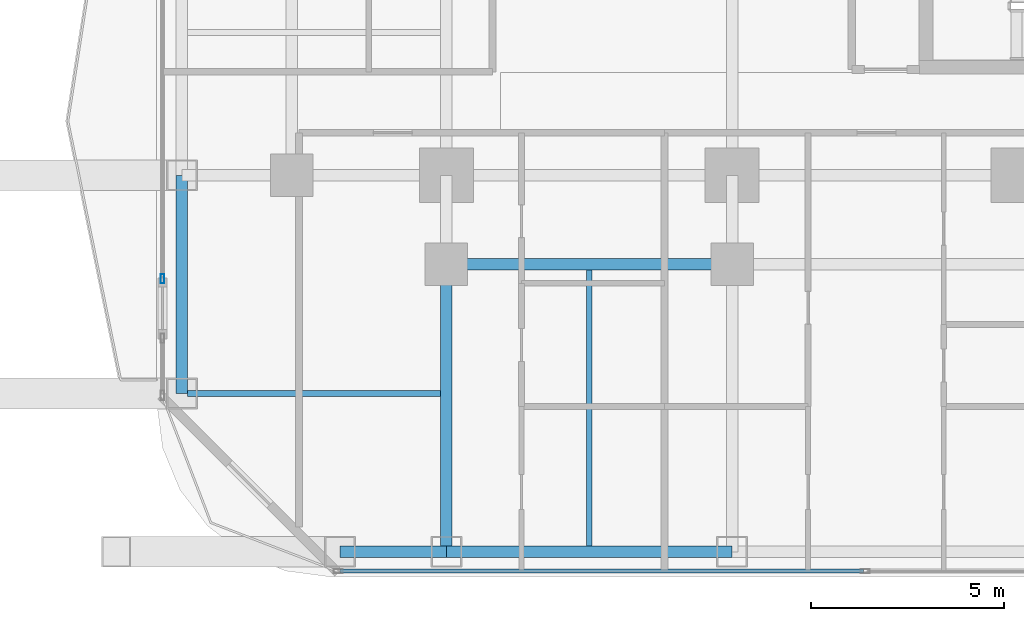
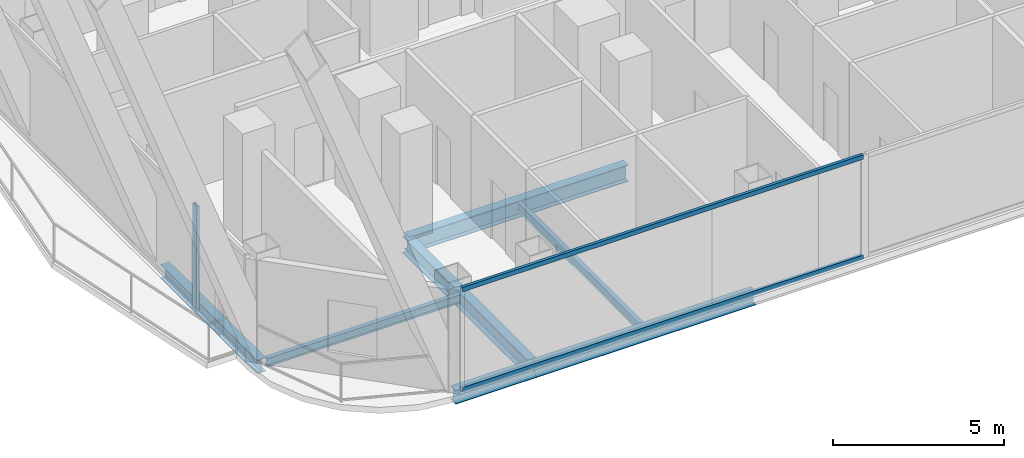
# One storey, part 3 of 33: 7 beams, 3 members, 2 elements without a shape of their own.
"""IFC4 building model written with IfcOpenShell, lengths in metres."""

from ifc_helpers import new_model, si_unit, direction, frame, origin, origin_2d, place, context, subcontext, project, spatial, hollow_rectangle, i_section, extrude, material, layer, layer_set, material_profile, profile_set, type_object, element, aggregate, save


model = new_model("IFC4")

# Units and contexts
model_context = context("Model", 3, precision=1e-05, world=origin(), true_north=direction((0.0, 1.0)))
body_context = subcontext(model_context, "Body", "Model", "MODEL_VIEW")
ifc_project = project(units=[si_unit("LENGTHUNIT", "METRE"), si_unit("AREAUNIT", "SQUARE_METRE"), si_unit("VOLUMEUNIT", "CUBIC_METRE"), si_unit("PLANEANGLEUNIT", "RADIAN"), si_unit("MASSUNIT", "GRAM", prefix="KILO")], contexts=[model_context])

# Site, building, storey
site_placement = place(None, origin())
site = spatial("IfcSite", under=ifc_project, at=site_placement, CompositionType="ELEMENT")
building_placement = place(site_placement, origin())
building = spatial("IfcBuilding", under=site, at=building_placement, Name="Khorvyn Point Tower", CompositionType="ELEMENT")
storey_placement = place(building_placement, frame((0.0, 0.0, 38.39990234375)))
storey = spatial("IfcBuildingStorey", under=building, at=storey_placement, Name="L10", CompositionType="ELEMENT", Elevation=38.39990234375)

# Curtain wall, member
ifc_material_1 = material(Name="Anodised aluminium 6063-T6 and laminated Low-E glass", Category="aluminium")
ifc_layer = layer(ifc_material_1, 0.18994140625)
ifc_layer_set = layer_set([ifc_layer], Name="Stick-Built Finned Residential Curtain Wall CW-SYS-02")
curtain_wall_type = type_object("IfcCurtainWallType", Name="Stick-Built Finned Residential Curtain Wall CW-SYS-02", PredefinedType="NOTDEFINED", material=ifc_layer_set)
curtain_wall_1_placement = place(storey_placement, origin())
curtain_wall_1 = element("IfcCurtainWall", 1, at=curtain_wall_1_placement, inside=storey, type_object=curtain_wall_type, Name="Curtain Wall", PredefinedType="NOTDEFINED")
ifc_material_2 = material(Name="Anodised aluminium 6063-T6", Category="aluminium")
ifc_material_profile_1 = material_profile(ifc_material_2, hollow_rectangle(XDim=0.10009765625, YDim=0.239990234375, WallThickness=0.0048828125, at=origin_2d()))
ifc_profile_set_1 = profile_set([ifc_material_profile_1], Name="Anodised aluminium 6063-T6 ALU-MUL-100x240")
member_type_1 = type_object("IfcMemberType", Name="Anodised Aluminium 6063-T6 Mullion ALU-MUL-100x240", PredefinedType="MULLION", material=ifc_profile_set_1)
member_1_placement = place(storey_placement, frame((-22.14990234375, -17.47998046875, 0.0), z_axis=(0.0, 0.0, 1.0), x_axis=(-1.0, 0.0, 0.0)))
member_1 = element("IfcMember", 2, at=member_1_placement, type_object=member_type_1, Name="Transom", PredefinedType="MULLION", context=body_context, shape_type="SweptSolid", body=[
    extrude(hollow_rectangle(XDim=0.10009765625, YDim=0.239990234375, WallThickness=0.0048828125, at=origin_2d()), origin(), (0.0, 0.0, 1.0), 3.68017578125),
])
aggregate(curtain_wall_1, [member_1])

# Curtain wall, members
curtain_wall_2_placement = place(storey_placement, origin())
curtain_wall_2 = element("IfcCurtainWall", 3, at=curtain_wall_2_placement, inside=storey, type_object=curtain_wall_type, Name="Curtain Wall", PredefinedType="NOTDEFINED")
ifc_material_profile_2 = material_profile(ifc_material_2, hollow_rectangle(XDim=0.10009765625, YDim=0.159912109375, WallThickness=0.00439453125, at=origin_2d()))
ifc_profile_set_2 = profile_set([ifc_material_profile_2], Name="Anodised aluminium 6063-T6 ALU-TRN-100x160")
member_type_2 = type_object("IfcMemberType", Name="Anodised Aluminium 6063-T6 Transom ALU-TRN-100x160", PredefinedType="USERDEFINED", material=ifc_profile_set_2)
member_2_placement = place(storey_placement, frame((-4.0, -25.050048828125, 0.050048828125), z_axis=(-1.0, 0.0, 0.0), x_axis=(0.0, -1.0, 0.0)))
member_2 = element("IfcMember", 4, at=member_2_placement, type_object=member_type_2, Name="Transom", ObjectType="TRANSOM", PredefinedType="USERDEFINED", context=body_context, shape_type="SweptSolid", body=[
    extrude(hollow_rectangle(XDim=0.10009765625, YDim=0.159912109375, WallThickness=0.00439453125, at=origin_2d()), origin(), (0.0, 0.0, 1.0), 13.550048828125),
])
member_3_placement = place(storey_placement, frame((-4.0, -25.050048828125, 3.630126953125), z_axis=(-1.0, 0.0, 0.0), x_axis=(0.0, -1.0, 0.0)))
member_3 = element("IfcMember", 5, at=member_3_placement, type_object=member_type_2, Name="Transom", ObjectType="TRANSOM", PredefinedType="USERDEFINED", context=body_context, shape_type="SweptSolid", body=[
    extrude(hollow_rectangle(XDim=0.10009765625, YDim=0.159912109375, WallThickness=0.00439453125, at=origin_2d()), origin(), (0.0, 0.0, 1.0), 13.550048828125),
])
aggregate(curtain_wall_2, [member_2, member_3])

# Beams
ifc_material_3 = material(Name="Steel S355", Category="steel")
ifc_material_profile_3 = material_profile(ifc_material_3, i_section(OverallWidth=0.300048828125, OverallDepth=0.587890625, WebThickness=0.011962890625, FlangeThickness=0.02001953125, at=origin_2d()))
ifc_profile_set_3 = profile_set([ifc_material_profile_3], Name="Steel S355 H588x300x12x20")
beam_type_1 = type_object("IfcBeamType", Name="Steel S355 Beam H588x300x12x20", PredefinedType="BEAM", material=ifc_profile_set_3)
beam_1_placement = place(storey_placement, frame((-14.800048828125, -17.10009765625, -0.513916015625), z_axis=(1.0, 0.0, 0.0), x_axis=(0.0, 1.0, 0.0)))
element("IfcBeam", 6, at=beam_1_placement, inside=storey, type_object=beam_type_1, Name="Beam", PredefinedType="BEAM", context=body_context, shape_type="SweptSolid", body=[
    extrude(i_section(OverallWidth=0.300048828125, OverallDepth=0.587890625, WebThickness=0.011962890625, FlangeThickness=0.02001953125, at=origin_2d()), origin(), (0.0, 0.0, 1.0), 7.400146484375),
])
beam_2_placement = place(storey_placement, frame((-14.800048828125, -24.550048828125, -0.513916015625), z_axis=(0.0, 1.0, 0.0), x_axis=(-1.0, 0.0, 0.0)))
element("IfcBeam", 7, at=beam_2_placement, inside=storey, type_object=beam_type_1, Name="Beam", PredefinedType="BEAM", context=body_context, shape_type="SweptSolid", body=[
    extrude(i_section(OverallWidth=0.300048828125, OverallDepth=0.587890625, WebThickness=0.011962890625, FlangeThickness=0.02001953125, at=origin_2d()), origin(), (0.0, 0.0, 1.0), 7.449951171875),
])
ifc_material_profile_4 = material_profile(ifc_material_3, i_section(OverallWidth=0.14990234375, OverallDepth=0.300048828125, WebThickness=0.006591796875, FlangeThickness=0.009033203125, at=origin_2d()))
ifc_profile_set_4 = profile_set([ifc_material_profile_4], Name="Steel S355 H300x150x6.5x9")
beam_type_2 = type_object("IfcBeamType", Name="Steel S355 Joist H300x150x6.5x9", PredefinedType="JOIST", material=ifc_profile_set_4)
beam_3_placement = place(storey_placement, frame((-11.10009765625, -24.39990234375, -0.369873046875), z_axis=(0.0, 1.0, 0.0), x_axis=(-1.0, 0.0, 0.0)))
element("IfcBeam", 8, at=beam_3_placement, inside=storey, type_object=beam_type_2, Name="Beam", PredefinedType="JOIST", context=body_context, shape_type="SweptSolid", body=[
    extrude(i_section(OverallWidth=0.14990234375, OverallDepth=0.300048828125, WebThickness=0.006591796875, FlangeThickness=0.009033203125, at=origin_2d()), origin(), (0.0, 0.0, 1.0), 7.14990234375),
])
beam_4_placement = place(storey_placement, frame((-21.5, -20.449951171875, -0.369873046875), z_axis=(1.0, 0.0, 0.0), x_axis=(0.0, 1.0, 0.0)))
element("IfcBeam", 9, at=beam_4_placement, inside=storey, type_object=beam_type_2, Name="Beam", PredefinedType="JOIST", context=body_context, shape_type="SweptSolid", body=[
    extrude(i_section(OverallWidth=0.14990234375, OverallDepth=0.300048828125, WebThickness=0.006591796875, FlangeThickness=0.009033203125, at=origin_2d()), origin(), (0.0, 0.0, 1.0), 6.550048828125),
])
ifc_material_profile_5 = material_profile(ifc_material_3, i_section(OverallWidth=0.300048828125, OverallDepth=0.488037109375, WebThickness=0.010986328125, FlangeThickness=0.01806640625, at=origin_2d()))
ifc_profile_set_5 = profile_set([ifc_material_profile_5], Name="Steel S355 H488x300x11x18")
beam_type_3 = type_object("IfcBeamType", Name="Steel S355 Spandrel H488x300x11x18", PredefinedType="SPANDREL", material=ifc_profile_set_5)
beam_5_placement = place(storey_placement, frame((-17.550048828125, -24.550048828125, -0.4638671875), z_axis=(1.0, 0.0, 0.0), x_axis=(0.0, 1.0, 0.0)))
element("IfcBeam", 10, at=beam_5_placement, inside=storey, type_object=beam_type_3, Name="Beam", PredefinedType="SPANDREL", context=body_context, shape_type="SweptSolid", body=[
    extrude(i_section(OverallWidth=0.300048828125, OverallDepth=0.488037109375, WebThickness=0.010986328125, FlangeThickness=0.01806640625, at=origin_2d()), origin(), (0.0, 0.0, 1.0), 2.75),
])
beam_6_placement = place(storey_placement, frame((-14.800048828125, -24.550048828125, -0.4638671875), z_axis=(1.0, 0.0, 0.0), x_axis=(0.0, 1.0, 0.0)))
element("IfcBeam", 11, at=beam_6_placement, inside=storey, type_object=beam_type_3, Name="Beam", PredefinedType="SPANDREL", context=body_context, shape_type="SweptSolid", body=[
    extrude(i_section(OverallWidth=0.300048828125, OverallDepth=0.488037109375, WebThickness=0.010986328125, FlangeThickness=0.01806640625, at=origin_2d()), origin(), (0.0, 0.0, 1.0), 7.400146484375),
])
beam_7_placement = place(storey_placement, frame((-21.64990234375, -20.449951171875, -0.4638671875), z_axis=(0.0, 1.0, 0.0), x_axis=(-1.0, 0.0, 0.0)))
element("IfcBeam", 12, at=beam_7_placement, inside=storey, type_object=beam_type_3, Name="Beam", PredefinedType="SPANDREL", context=body_context, shape_type="SweptSolid", body=[
    extrude(i_section(OverallWidth=0.300048828125, OverallDepth=0.488037109375, WebThickness=0.010986328125, FlangeThickness=0.01806640625, at=origin_2d()), origin(), (0.0, 0.0, 1.0), 5.64990234375),
])

save(model, "model.ifc")
